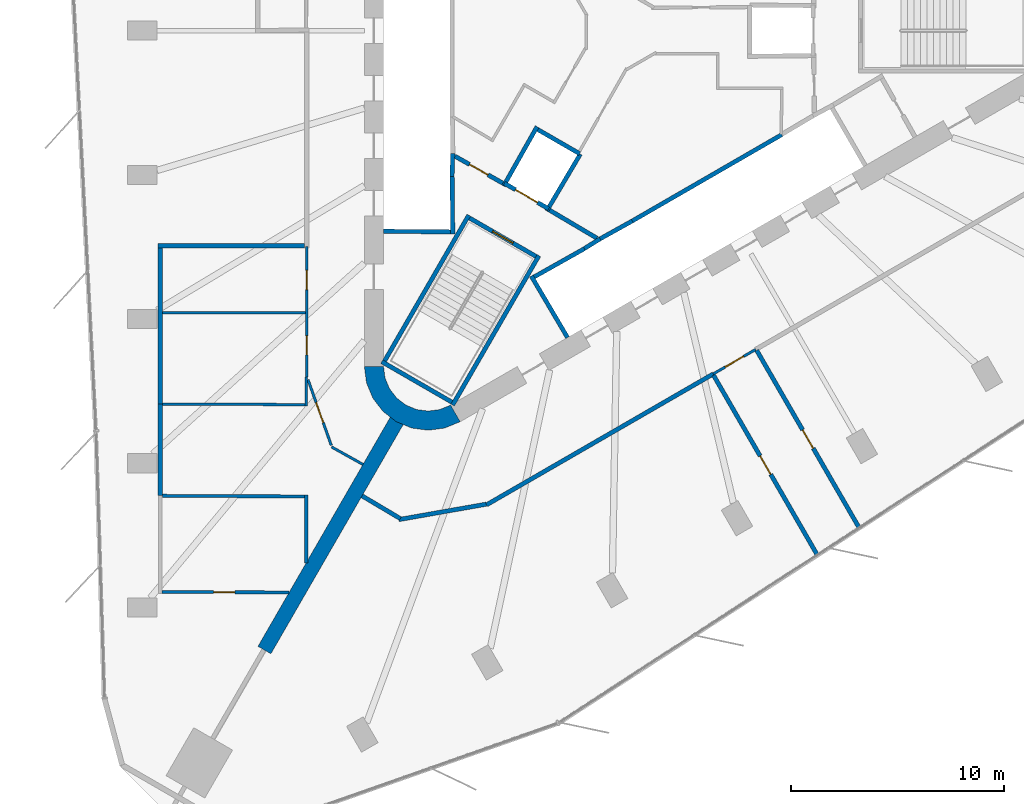
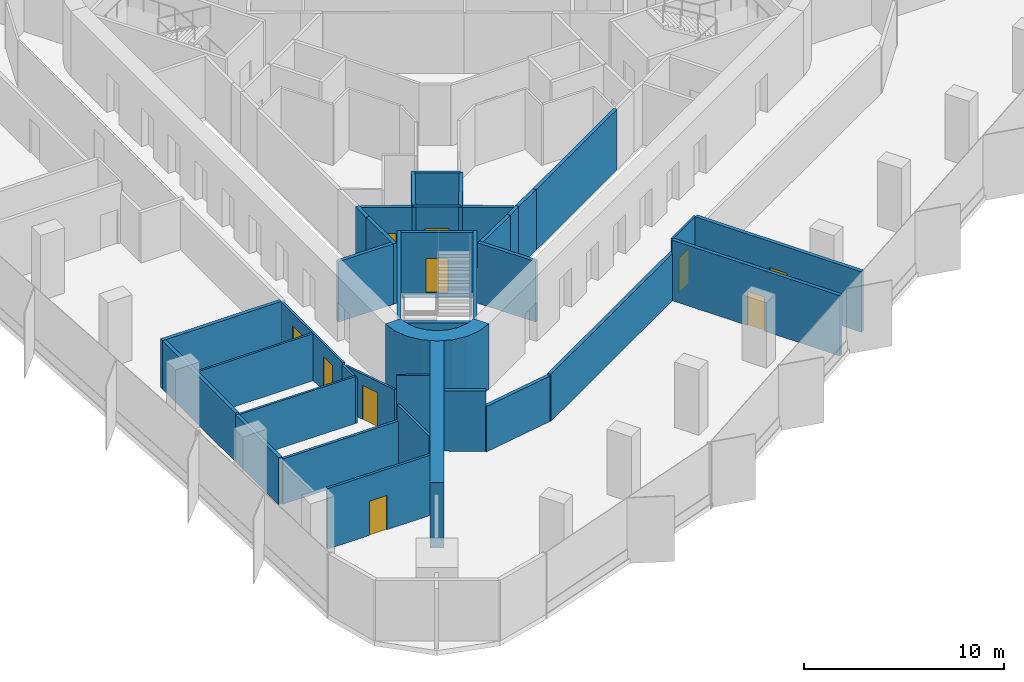
# One storey, part 8 of 13: 38 walls, 10 doors, 10 openings.
"""IFC4 building model written with IfcOpenShell, lengths in metres."""

from ifc_helpers import new_model, si_unit, direction, frame, frame_2d, origin, place, context, subcontext, project, spatial, polyline, rectangle, outline, extrude, material, layer, layer_set, type_object, element, fill, save


model = new_model("IFC4")

# Units and contexts
model_context = context("Model", 3, precision=1e-05, world=origin(), true_north=direction((0.0, 1.0)))
body_context = subcontext(model_context, "Body", "Model", "MODEL_VIEW")
ifc_project = project(units=[si_unit("LENGTHUNIT", "METRE"), si_unit("AREAUNIT", "SQUARE_METRE"), si_unit("VOLUMEUNIT", "CUBIC_METRE"), si_unit("PLANEANGLEUNIT", "RADIAN"), si_unit("MASSUNIT", "GRAM", prefix="KILO")], contexts=[model_context])

# Site, building, storey
site_placement = place(None, origin())
site = spatial("IfcSite", under=ifc_project, at=site_placement, CompositionType="ELEMENT")
building_placement = place(site_placement, origin())
building = spatial("IfcBuilding", under=site, at=building_placement, Name="Tanit Gate Tower", CompositionType="ELEMENT")
storey_placement = place(building_placement, frame((0.0, 0.0, 177.199951171875)))
storey = spatial("IfcBuildingStorey", under=building, at=storey_placement, Name="L38", CompositionType="ELEMENT", Elevation=177.199951171875)

# Walls
ifc_material_1 = material(Name="Concrete C50/60", Category="concrete")
ifc_layer_1 = layer(ifc_material_1, 0.699951171875)
ifc_layer_set_1 = layer_set([ifc_layer_1], Name="BUTTRESS FIN 700 C50/60")
wall_type_1 = type_object("IfcWallType", Name="BUTTRESS FIN 700 C50/60", PredefinedType="SHEAR", material=ifc_layer_set_1)
wall_1_placement = place(storey_placement, frame((-10.574951171875, -18.31640625, 0.0), z_axis=(0.0, 0.0, 1.0), x_axis=(-0.499995558535, -0.86602796805, 0.0)))
element("IfcWall", 1, at=wall_1_placement, inside=storey, type_object=wall_type_1, Name="BUTTRESS FIN", PredefinedType="SHEAR", context=body_context, shape_type="SweptSolid", body=[
    extrude(rectangle(XDim=12.4326171875, YDim=0.699951171875, at=frame_2d((6.21630859375, 0.0))), origin(), (0.0, 0.0, 1.0), 4.0),
])
ifc_material_2 = material(Name="Concrete C50/60", Category="concrete")
ifc_layer_2 = layer(ifc_material_2, 0.89990234375)
ifc_layer_set_2 = layer_set([ifc_layer_2], Name="CORE WALL 900 C50/60")
wall_type_2 = type_object("IfcWallType", Name="CORE WALL 900 C50/60", PredefinedType="SHEAR", material=ifc_layer_set_2)
wall_2_placement = place(storey_placement, origin())
element("IfcWall", 2, at=wall_2_placement, inside=storey, type_object=wall_type_2, Name="CORE WALL CORNER", PredefinedType="SHEAR", context=body_context, shape_type="SweptSolid", body=[
    extrude(outline(polyline([(-12.10009765625, -15.76171875), (-11.997802734375, -16.5380859375), (-11.697998046875, -17.26171875), (-11.22119140625, -17.883056640625), (-10.60009765625, -18.359619140625), (-9.87646484375, -18.659423828125), (-9.10009765625, -18.76171875), (-8.323486328125, -18.659423828125), (-7.60009765625, -18.359619140625), (-8.050048828125, -17.580322265625), (-8.556396484375, -17.7900390625), (-9.10009765625, -17.86181640625), (-9.6435546875, -17.7900390625), (-10.14990234375, -17.580322265625), (-10.5849609375, -17.24658203125), (-10.918701171875, -16.811767578125), (-11.12841796875, -16.30517578125), (-11.199951171875, -15.76171875), (-12.10009765625, -15.76171875)])), origin(), (0.0, 0.0, 1.0), 4.0),
])
ifc_material_3 = material(Name="Fire-rated gypsum board partition")
ifc_layer_3 = layer(ifc_material_3, 0.199951171875)
ifc_layer_set_3 = layer_set([ifc_layer_3], Name="INT-WALL-COMPARTMENT")
wall_type_3 = type_object("IfcWallType", Name="INT-WALL-COMPARTMENT", PredefinedType="PARTITIONING", material=ifc_layer_set_3)
wall_3_placement = place(storey_placement, frame((-3.400634765625, -8.43017578125, 0.0), z_axis=(0.0, 0.0, 1.0), x_axis=(0.860615607571, -0.509255118781, 0.0)))
element("IfcWall", 3, at=wall_3_placement, inside=storey, type_object=wall_type_3, Name="Wall Compartment W063", PredefinedType="PARTITIONING", context=body_context, shape_type="SweptSolid", body=[
    extrude(rectangle(XDim=2.58056640625, YDim=0.199951171875, at=frame_2d((1.290283203125, 0.0))), origin(), (0.0, 0.0, 1.0), 3.699951171875),
])

# Wall, opening, door
wall_4_placement = place(storey_placement, frame((-7.849365234375, -5.893798828125, 0.0), z_axis=(0.0, 0.0, 1.0), x_axis=(0.871363259478, -0.490638431059, 0.0)))
wall_4 = element("IfcWall", 4, at=wall_4_placement, inside=storey, type_object=wall_type_3, Name="Wall Compartment W064", PredefinedType="PARTITIONING", context=body_context, shape_type="SweptSolid", body=[
    extrude(rectangle(XDim=2.5810546875, YDim=0.199951171875, at=frame_2d((1.29052734375, 0.0))), origin(), (0.0, 0.0, 1.0), 3.699951171875),
])
opening_1_placement = place(wall_4_placement, frame((0.79052734375, 0.0, 0.0)))
opening_1 = element("IfcOpeningElement", 5, at=opening_1_placement, cuts=wall_4, Name="Opening F10-S09-08", PredefinedType="OPENING", context=body_context, shape_type="SweptSolid", body=[
    extrude(rectangle(XDim=1.0, YDim=2.10009765625, at=frame_2d((0.5, 1.050048828125))), frame((0.0, 0.10986328125, 0.0), z_axis=(0.0, -1.0, 0.0), x_axis=(1.0, 0.0, 0.0)), (0.0, 0.0, 1.0), 0.219970703125),
])
ifc_material_4 = material(Name="Fire-rated steel door leaf", Category="steel")
door_type_1 = type_object("IfcDoorType", Name="INT-DOOR-FIRE-1000", OperationType="NOTDEFINED", PredefinedType="USERDEFINED", material=ifc_material_4)
door_1_placement = place(opening_1_placement, origin())
door_1 = element("IfcDoor", 6, at=door_1_placement, inside=storey, type_object=door_type_1, Name="Door F10-S09-08", ObjectType="FIRE DOOR", OperationType="SINGLE_SWING_RIGHT", OverallHeight=2.10009765625, OverallWidth=1.0, PredefinedType="USERDEFINED", context=body_context, shape_type="SweptSolid", body=[
    extrude(rectangle(XDim=1.0, YDim=2.10009765625, at=frame_2d((0.5, 1.050048828125))), frame((0.0, 0.02490234375, 0.0), z_axis=(0.0, -1.0, 0.0), x_axis=(1.0, 0.0, 0.0)), (0.0, 0.0, 1.0), 0.050048828125),
])
fill(opening_1, door_1)

# Walls
wall_5_placement = place(storey_placement, frame((-6.3662109375, -22.26611328125, 0.0), z_axis=(0.0, 0.0, 1.0), x_axis=(0.866024234898, 0.500002024564, 0.0)))
element("IfcWall", 7, at=wall_5_placement, inside=storey, type_object=wall_type_3, Name="Wall Compartment W108", PredefinedType="PARTITIONING", context=body_context, shape_type="SweptSolid", body=[
    extrude(rectangle(XDim=12.29638671875, YDim=0.199951171875, at=frame_2d((6.148193359375, 0.0))), origin(), (0.0, 0.0, 1.0), 2.880126953125),
])
wall_6_placement = place(storey_placement, frame((-10.479736328125, -22.956787109375, 0.0), z_axis=(0.0, 0.0, 1.0), x_axis=(0.984812459939, 0.173621481242, 0.0)))
element("IfcWall", 8, at=wall_6_placement, inside=storey, type_object=wall_type_3, Name="Wall Compartment W109", PredefinedType="PARTITIONING", context=body_context, shape_type="SweptSolid", body=[
    extrude(rectangle(XDim=4.1650390625, YDim=0.199951171875, at=frame_2d((2.08251953125, 0.0))), origin(), (0.0, 0.0, 1.0), 2.780029296875),
])
wall_7_placement = place(storey_placement, frame((-12.20703125, -21.84326171875, 0.0), z_axis=(0.0, 0.0, 1.0), x_axis=(0.859912345357, -0.510441728606, 0.0)))
element("IfcWall", 9, at=wall_7_placement, inside=storey, type_object=wall_type_3, Name="Wall Compartment W110", PredefinedType="PARTITIONING", context=body_context, shape_type="SweptSolid", body=[
    extrude(rectangle(XDim=2.093017578125, YDim=0.199951171875, at=frame_2d((1.04638671875, 0.0))), origin(), (0.0, 0.0, 1.0), 3.699951171875),
])
wall_8_placement = place(storey_placement, frame((-14.89990234375, -10.10009765625, 0.0), z_axis=(0.0, 0.0, 1.0), x_axis=(-1.0, 0.0, 0.0)))
element("IfcWall", 10, at=wall_8_placement, inside=storey, type_object=wall_type_3, Name="Wall Compartment W115", PredefinedType="PARTITIONING", context=body_context, shape_type="SweptSolid", body=[
    extrude(rectangle(XDim=6.880126953125, YDim=0.199951171875, at=frame_2d((3.43994140625, 0.0))), origin(), (0.0, 0.0, 1.0), 2.97998046875),
])
wall_9_placement = place(storey_placement, frame((-21.679931640625, -21.8330078125, 0.0), z_axis=(0.0, 0.0, 1.0), x_axis=(0.0, 1.0, 0.0)))
element("IfcWall", 11, at=wall_9_placement, inside=storey, type_object=wall_type_3, Name="Wall Compartment W118", PredefinedType="PARTITIONING", context=body_context, shape_type="SweptSolid", body=[
    extrude(rectangle(XDim=4.302490234375, YDim=0.199951171875, at=frame_2d((2.1513671875, 0.0))), origin(), (0.0, 0.0, 1.0), 2.880126953125),
])
wall_10_placement = place(storey_placement, frame((-21.679931640625, -17.530517578125, 0.0), z_axis=(0.0, 0.0, 1.0), x_axis=(0.0, 1.0, 0.0)))
element("IfcWall", 12, at=wall_10_placement, inside=storey, type_object=wall_type_3, Name="Wall Compartment W117", PredefinedType="PARTITIONING", context=body_context, shape_type="SweptSolid", body=[
    extrude(rectangle(XDim=7.33056640625, YDim=0.199951171875, at=frame_2d((3.665283203125, 0.0))), origin(), (0.0, 0.0, 1.0), 2.97998046875),
])

# Wall, opening, door
wall_11_placement = place(storey_placement, frame((11.134033203125, -23.344482421875, 0.0), z_axis=(0.0, 0.0, 1.0), x_axis=(-0.50000792458, 0.866020828478, 0.0)))
wall_11 = element("IfcWall", 13, at=wall_11_placement, inside=storey, type_object=wall_type_3, Name="Wall Compartment W127", PredefinedType="PARTITIONING", context=body_context, shape_type="SweptSolid", body=[
    extrude(rectangle(XDim=9.623779296875, YDim=0.199951171875, at=frame_2d((4.81201171875, 0.0))), origin(), (0.0, 0.0, 1.0), 3.699951171875),
])
opening_2_placement = place(wall_11_placement, frame((4.31201171875, 0.0, 0.0)))
opening_2 = element("IfcOpeningElement", 14, at=opening_2_placement, cuts=wall_11, Name="Opening F10-S09-28", PredefinedType="OPENING", context=body_context, shape_type="SweptSolid", body=[
    extrude(rectangle(XDim=1.0, YDim=2.10009765625, at=frame_2d((0.5, 1.050048828125))), frame((0.0, 0.10986328125, 0.0), z_axis=(0.0, -1.0, 0.0), x_axis=(1.0, 0.0, 0.0)), (0.0, 0.0, 1.0), 0.219970703125),
])
door_2_placement = place(opening_2_placement, origin())
door_2 = element("IfcDoor", 15, at=door_2_placement, inside=storey, type_object=door_type_1, Name="Door F10-S09-28", ObjectType="FIRE DOOR", OperationType="SINGLE_SWING_LEFT", OverallHeight=2.10009765625, OverallWidth=1.0, PredefinedType="USERDEFINED", context=body_context, shape_type="SweptSolid", body=[
    extrude(rectangle(XDim=1.0, YDim=2.10009765625, at=frame_2d((0.5, 1.050048828125))), frame((0.0, 0.02490234375, 0.0), z_axis=(0.0, -1.0, 0.0), x_axis=(1.0, 0.0, 0.0)), (0.0, 0.0, 1.0), 0.050048828125),
])
fill(opening_2, door_2)

wall_12_placement = place(storey_placement, frame((4.29541015625, -16.179931640625, 0.0), z_axis=(0.0, 0.0, 1.0), x_axis=(0.500010870188, -0.866019127788, 0.0)))
wall_12 = element("IfcWall", 16, at=wall_12_placement, inside=storey, type_object=wall_type_3, Name="Wall Compartment W128", PredefinedType="PARTITIONING", context=body_context, shape_type="SweptSolid", body=[
    extrude(rectangle(XDim=9.745361328125, YDim=0.199951171875, at=frame_2d((4.87255859375, 0.0))), origin(), (0.0, 0.0, 1.0), 3.699951171875),
])
opening_3_placement = place(wall_12_placement, frame((4.372802734375, 0.0, 0.0)))
opening_3 = element("IfcOpeningElement", 17, at=opening_3_placement, cuts=wall_12, Name="Opening F10-S09-29", PredefinedType="OPENING", context=body_context, shape_type="SweptSolid", body=[
    extrude(rectangle(XDim=1.0, YDim=2.10009765625, at=frame_2d((0.5, 1.050048828125))), frame((0.0, 0.10986328125, 0.0), z_axis=(0.0, -1.0, 0.0), x_axis=(1.0, 0.0, 0.0)), (0.0, 0.0, 1.0), 0.219970703125),
])
door_3_placement = place(opening_3_placement, origin())
door_3 = element("IfcDoor", 18, at=door_3_placement, inside=storey, type_object=door_type_1, Name="Door F10-S09-29", ObjectType="FIRE DOOR", OperationType="SINGLE_SWING_LEFT", OverallHeight=2.10009765625, OverallWidth=1.0, PredefinedType="USERDEFINED", context=body_context, shape_type="SweptSolid", body=[
    extrude(rectangle(XDim=1.0, YDim=2.10009765625, at=frame_2d((0.5, 1.050048828125))), frame((0.0, 0.02490234375, 0.0), z_axis=(0.0, -1.0, 0.0), x_axis=(1.0, 0.0, 0.0)), (0.0, 0.0, 1.0), 0.050048828125),
])
fill(opening_3, door_3)

# Wall, openings, doors
ifc_material_5 = material(Name="Gypsum board partition")
ifc_layer_4 = layer(ifc_material_5, 0.1201171875)
ifc_layer_set_4 = layer_set([ifc_layer_4], Name="INT-WALL-PARTITION")
wall_type_4 = type_object("IfcWallType", Name="INT-WALL-PARTITION", PredefinedType="PARTITIONING", material=ifc_layer_set_4)
wall_13_placement = place(storey_placement, frame((-14.800048828125, -10.1298828125, 0.0), z_axis=(0.0, 0.0, 1.0), x_axis=(0.0, -1.0, 0.0)))
wall_13 = element("IfcWall", 19, at=wall_13_placement, inside=storey, type_object=wall_type_4, Name="Wall Partition W093", PredefinedType="PARTITIONING", context=body_context, shape_type="SweptSolid", body=[
    extrude(rectangle(XDim=6.138427734375, YDim=0.1201171875, at=frame_2d((3.0693359375, 0.0))), origin(), (0.0, 0.0, 1.0), 2.880126953125),
])
opening_4_placement = place(wall_13_placement, frame((1.127197265625, 0.0, 0.0)))
opening_4 = element("IfcOpeningElement", 20, at=opening_4_placement, cuts=wall_13, Name="Opening D09-S09-20", PredefinedType="OPENING", context=body_context, shape_type="SweptSolid", body=[
    extrude(rectangle(XDim=0.89990234375, YDim=2.10009765625, at=frame_2d((0.449951171875, 1.050048828125))), frame((0.0, 0.070068359375, 0.0), z_axis=(0.0, -1.0, 0.0), x_axis=(1.0, 0.0, 0.0)), (0.0, 0.0, 1.0), 0.14013671875),
])
opening_5_placement = place(wall_13_placement, frame((4.1962890625, 0.0, 0.0)))
opening_5 = element("IfcOpeningElement", 21, at=opening_5_placement, cuts=wall_13, Name="Opening D09-S09-21", PredefinedType="OPENING", context=body_context, shape_type="SweptSolid", body=[
    extrude(rectangle(XDim=0.89990234375, YDim=2.10009765625, at=frame_2d((0.449951171875, 1.050048828125))), frame((0.0, 0.070068359375, 0.0), z_axis=(0.0, -1.0, 0.0), x_axis=(1.0, 0.0, 0.0)), (0.0, 0.0, 1.0), 0.14013671875),
])
ifc_material_6 = material(Name="Timber door leaf", Category="wood")
door_type_2 = type_object("IfcDoorType", Name="INT-DOOR-SINGLE-900", OperationType="NOTDEFINED", PredefinedType="NOTDEFINED", material=ifc_material_6)
door_4_placement = place(opening_4_placement, origin())
door_4 = element("IfcDoor", 22, at=door_4_placement, inside=storey, type_object=door_type_2, Name="Door D09-S09-20", OperationType="SINGLE_SWING_RIGHT", OverallHeight=2.10009765625, OverallWidth=0.89990234375, PredefinedType="NOTDEFINED", context=body_context, shape_type="SweptSolid", body=[
    extrude(rectangle(XDim=0.89990234375, YDim=2.10009765625, at=frame_2d((0.449951171875, 1.050048828125))), frame((0.0, 0.02490234375, 0.0), z_axis=(0.0, -1.0, 0.0), x_axis=(1.0, 0.0, 0.0)), (0.0, 0.0, 1.0), 0.050048828125),
])
fill(opening_4, door_4)
door_5_placement = place(opening_5_placement, origin())
door_5 = element("IfcDoor", 23, at=door_5_placement, inside=storey, type_object=door_type_2, Name="Door D09-S09-21", OperationType="SINGLE_SWING_RIGHT", OverallHeight=2.10009765625, OverallWidth=0.89990234375, PredefinedType="NOTDEFINED", context=body_context, shape_type="SweptSolid", body=[
    extrude(rectangle(XDim=0.89990234375, YDim=2.10009765625, at=frame_2d((0.449951171875, 1.050048828125))), frame((0.0, 0.02490234375, 0.0), z_axis=(0.0, -1.0, 0.0), x_axis=(1.0, 0.0, 0.0)), (0.0, 0.0, 1.0), 0.050048828125),
])
fill(opening_5, door_5)

# Wall
wall_14_placement = place(storey_placement, frame((-13.64111328125, -19.54443359375, 0.0), z_axis=(0.0, 0.0, 1.0), x_axis=(0.873339078614, -0.487112773149, 0.0)))
element("IfcWall", 24, at=wall_14_placement, inside=storey, type_object=wall_type_4, Name="Wall Partition W095", PredefinedType="PARTITIONING", context=body_context, shape_type="SweptSolid", body=[
    extrude(rectangle(XDim=1.691650390625, YDim=0.1201171875, at=frame_2d((0.845703125, 0.0))), origin(), (0.0, 0.0, 1.0), 3.699951171875),
])

# Wall, opening, door
wall_15_placement = place(storey_placement, frame((-14.74267578125, -16.393798828125, 0.0), z_axis=(0.0, 0.0, 1.0), x_axis=(0.334279115597, -0.942474123186, 0.0)))
wall_15 = element("IfcWall", 25, at=wall_15_placement, inside=storey, type_object=wall_type_4, Name="Wall Partition W096", PredefinedType="PARTITIONING", context=body_context, shape_type="SweptSolid", body=[
    extrude(rectangle(XDim=3.263916015625, YDim=0.1201171875, at=frame_2d((1.6318359375, 0.0))), origin(), (0.0, 0.0, 1.0), 2.780029296875),
])
opening_6_placement = place(wall_15_placement, frame((1.1318359375, 0.0, 0.0)))
opening_6 = element("IfcOpeningElement", 26, at=opening_6_placement, cuts=wall_15, Name="Opening D10-S09-22", PredefinedType="OPENING", context=body_context, shape_type="SweptSolid", body=[
    extrude(rectangle(XDim=1.0, YDim=2.10009765625, at=frame_2d((0.5, 1.050048828125))), frame((0.0, 0.070068359375, 0.0), z_axis=(0.0, -1.0, 0.0), x_axis=(1.0, 0.0, 0.0)), (0.0, 0.0, 1.0), 0.14013671875),
])
ifc_material_7 = material(Name="Timber door leaf", Category="wood")
door_type_3 = type_object("IfcDoorType", Name="INT-DOOR-SINGLE-1000", OperationType="NOTDEFINED", PredefinedType="NOTDEFINED", material=ifc_material_7)
door_6_placement = place(opening_6_placement, origin())
door_6 = element("IfcDoor", 27, at=door_6_placement, inside=storey, type_object=door_type_3, Name="Door D10-S09-22", OperationType="SINGLE_SWING_LEFT", OverallHeight=2.10009765625, OverallWidth=1.0, PredefinedType="NOTDEFINED", context=body_context, shape_type="SweptSolid", body=[
    extrude(rectangle(XDim=1.0, YDim=2.10009765625, at=frame_2d((0.5, 1.050048828125))), frame((0.0, 0.02490234375, 0.0), z_axis=(0.0, -1.0, 0.0), x_axis=(1.0, 0.0, 0.0)), (0.0, 0.0, 1.0), 0.050048828125),
])
fill(opening_6, door_6)

wall_16_placement = place(storey_placement, frame((4.28271484375, -16.117919921875, 0.0), z_axis=(0.0, 0.0, 1.0), x_axis=(0.866053019151, 0.499952165731, 0.0)))
wall_16 = element("IfcWall", 28, at=wall_16_placement, inside=storey, type_object=wall_type_4, Name="Wall Partition W104", PredefinedType="PARTITIONING", context=body_context, shape_type="SweptSolid", body=[
    extrude(rectangle(XDim=2.300048828125, YDim=0.1201171875, at=frame_2d((1.14990234375, 0.0))), origin(), (0.0, 0.0, 1.0), 3.699951171875),
])
opening_7_placement = place(wall_16_placement, frame((0.64990234375, 0.0, 0.0)))
opening_7 = element("IfcOpeningElement", 29, at=opening_7_placement, cuts=wall_16, Name="Opening D10-S09-19", PredefinedType="OPENING", context=body_context, shape_type="SweptSolid", body=[
    extrude(rectangle(XDim=1.0, YDim=2.10009765625, at=frame_2d((0.5, 1.050048828125))), frame((0.0, 0.070068359375, 0.0), z_axis=(0.0, -1.0, 0.0), x_axis=(1.0, 0.0, 0.0)), (0.0, 0.0, 1.0), 0.14013671875),
])
door_7_placement = place(opening_7_placement, origin())
door_7 = element("IfcDoor", 30, at=door_7_placement, inside=storey, type_object=door_type_3, Name="Door D10-S09-19", OperationType="SINGLE_SWING_LEFT", OverallHeight=2.10009765625, OverallWidth=1.0, PredefinedType="NOTDEFINED", context=body_context, shape_type="SweptSolid", body=[
    extrude(rectangle(XDim=1.0, YDim=2.10009765625, at=frame_2d((0.5, 1.050048828125))), frame((0.0, 0.02490234375, 0.0), z_axis=(0.0, -1.0, 0.0), x_axis=(1.0, 0.0, 0.0)), (0.0, 0.0, 1.0), 0.050048828125),
])
fill(opening_7, door_7)

# Walls
wall_17_placement = place(storey_placement, frame((-14.830078125, -13.25439453125, 0.0), z_axis=(0.0, 0.0, 1.0), x_axis=(-1.0, 0.0, 0.0)))
element("IfcWall", 31, at=wall_17_placement, inside=storey, type_object=wall_type_4, Name="Wall Partition W129", PredefinedType="PARTITIONING", context=body_context, shape_type="SweptSolid", body=[
    extrude(rectangle(XDim=6.75, YDim=0.1201171875, at=frame_2d((3.375, 0.0))), origin(), (0.0, 0.0, 1.0), 2.880126953125),
])
wall_18_placement = place(storey_placement, frame((-14.830078125, -17.62060546875, 0.0), z_axis=(0.0, 0.0, 1.0), x_axis=(0.0, 1.0, 0.0)))
element("IfcWall", 32, at=wall_18_placement, inside=storey, type_object=wall_type_4, Name="Wall Partition W130", PredefinedType="PARTITIONING", context=body_context, shape_type="SweptSolid", body=[
    extrude(rectangle(XDim=1.352294921875, YDim=0.1201171875, at=frame_2d((0.67626953125, 0.0))), origin(), (0.0, 0.0, 1.0), 2.780029296875),
])
wall_19_placement = place(storey_placement, frame((-14.889892578125, -17.560302734375, 0.0), z_axis=(0.0, 0.0, 1.0), x_axis=(-0.999990411956, 0.004379040595, 0.0)))
element("IfcWall", 33, at=wall_19_placement, inside=storey, type_object=wall_type_4, Name="Wall Partition W131", PredefinedType="PARTITIONING", context=body_context, shape_type="SweptSolid", body=[
    extrude(rectangle(XDim=6.690185546875, YDim=0.1201171875, at=frame_2d((3.34521484375, 0.0))), origin(), (0.0, 0.0, 1.0), 2.880126953125),
])

# Wall, opening, door
ifc_material_8 = material(Name="Fire-rated gypsum board partition")
ifc_layer_5 = layer(ifc_material_8, 0.14990234375)
ifc_layer_set_5 = layer_set([ifc_layer_5], Name="INT-WALL-RISER")
wall_type_5 = type_object("IfcWallType", Name="INT-WALL-RISER", PredefinedType="PLUMBINGWALL", material=ifc_layer_set_5)
wall_20_placement = place(storey_placement, frame((-21.60498046875, -26.350341796875, 0.0), z_axis=(0.0, 0.0, 1.0), x_axis=(0.999989138364, -0.004660810408, 0.0)))
wall_20 = element("IfcWall", 34, at=wall_20_placement, inside=storey, type_object=wall_type_5, Name="Wall Riser W120", PredefinedType="PLUMBINGWALL", context=body_context, shape_type="SweptSolid", body=[
    extrude(rectangle(XDim=5.971435546875, YDim=0.14990234375, at=frame_2d((2.98583984375, 0.0))), origin(), (0.0, 0.0, 1.0), 3.699951171875),
])
opening_8_placement = place(wall_20_placement, frame((2.42822265625, 0.0, 0.0)))
opening_8 = element("IfcOpeningElement", 35, at=opening_8_placement, cuts=wall_20, Name="Opening F10-S09-23", PredefinedType="OPENING", context=body_context, shape_type="SweptSolid", body=[
    extrude(rectangle(XDim=1.0, YDim=2.10009765625, at=frame_2d((0.5, 1.050048828125))), frame((0.0, 0.0849609375, 0.0), z_axis=(0.0, -1.0, 0.0), x_axis=(1.0, 0.0, 0.0)), (0.0, 0.0, 1.0), 0.169921875),
])
door_8_placement = place(opening_8_placement, origin())
door_8 = element("IfcDoor", 36, at=door_8_placement, inside=storey, type_object=door_type_1, Name="Door F10-S09-23", ObjectType="FIRE DOOR", OperationType="SINGLE_SWING_RIGHT", OverallHeight=2.10009765625, OverallWidth=1.0, PredefinedType="USERDEFINED", context=body_context, shape_type="SweptSolid", body=[
    extrude(rectangle(XDim=1.0, YDim=2.10009765625, at=frame_2d((0.5, 1.050048828125))), frame((0.0, 0.02490234375, 0.0), z_axis=(0.0, -1.0, 0.0), x_axis=(1.0, 0.0, 0.0)), (0.0, 0.0, 1.0), 0.050048828125),
])
fill(opening_8, door_8)

# Walls
wall_21_placement = place(storey_placement, frame((-14.830078125, -24.986328125, 0.0), z_axis=(0.0, 0.0, 1.0), x_axis=(0.0, 1.0, 0.0)))
element("IfcWall", 37, at=wall_21_placement, inside=storey, type_object=wall_type_5, Name="Wall Riser W132", PredefinedType="PLUMBINGWALL", context=body_context, shape_type="SweptSolid", body=[
    extrude(rectangle(XDim=3.190673828125, YDim=0.14990234375, at=frame_2d((1.59521484375, 0.0))), origin(), (0.0, 0.0, 1.0), 3.699951171875),
])
wall_22_placement = place(storey_placement, frame((-21.580078125, -21.841064453125, 0.0), z_axis=(0.0, 0.0, 1.0), x_axis=(0.999990368422, -0.004388970565, 0.0)))
element("IfcWall", 38, at=wall_22_placement, inside=storey, type_object=wall_type_5, Name="Wall Riser W133", PredefinedType="PLUMBINGWALL", context=body_context, shape_type="SweptSolid", body=[
    extrude(rectangle(XDim=6.675048828125, YDim=0.14990234375, at=frame_2d((3.33740234375, 0.0))), origin(), (0.0, 0.0, 1.0), 2.780029296875),
])
ifc_material_9 = material(Name="Gypsum shaft wall system")
ifc_layer_6 = layer(ifc_material_9, 0.199951171875)
ifc_layer_set_6 = layer_set([ifc_layer_6], Name="INT-WALL-SHAFT")
wall_type_6 = type_object("IfcWallType", Name="INT-WALL-SHAFT", PredefinedType="PLUMBINGWALL", material=ifc_layer_set_6)
wall_23_placement = place(storey_placement, frame((-7.949951171875, -5.7724609375, 0.0), z_axis=(0.0, 0.0, 1.0), x_axis=(-0.030803413295, -0.999525462272, 0.0)))
element("IfcWall", 39, at=wall_23_placement, inside=storey, type_object=wall_type_6, Name="Wall Shaft W008", PredefinedType="PLUMBINGWALL", context=body_context, shape_type="SweptSolid", body=[
    extrude(rectangle(XDim=1.077880859375, YDim=0.199951171875, at=frame_2d((0.5390625, 0.0))), origin(), (0.0, 0.0, 1.0), 3.699951171875),
])
wall_24_placement = place(storey_placement, frame((-7.97900390625, -6.85009765625, 0.0), z_axis=(0.0, 0.0, 1.0), x_axis=(0.011121475088, -0.999938154483, 0.0)))
element("IfcWall", 40, at=wall_24_placement, inside=storey, type_object=wall_type_6, Name="Wall Shaft W010", PredefinedType="PLUMBINGWALL", context=body_context, shape_type="SweptSolid", body=[
    extrude(rectangle(XDim=2.7001953125, YDim=0.199951171875, at=frame_2d((1.35009765625, 0.0))), origin(), (0.0, 0.0, 1.0), 3.699951171875),
])
wall_25_placement = place(storey_placement, frame((-8.050048828125, -9.448974609375, 0.0), z_axis=(0.0, 0.0, 1.0), x_axis=(-0.999957467379, 0.009222983926, 0.0)))
element("IfcWall", 41, at=wall_25_placement, inside=storey, type_object=wall_type_6, Name="Wall Shaft W011", PredefinedType="PLUMBINGWALL", context=body_context, shape_type="SweptSolid", body=[
    extrude(rectangle(XDim=3.150146484375, YDim=0.199951171875, at=frame_2d((1.5751953125, 0.0))), origin(), (0.0, 0.0, 1.0), 3.699951171875),
])
wall_26_placement = place(storey_placement, frame((0.482666015625, -8.935791015625, 0.0), z_axis=(0.0, 0.0, 1.0), x_axis=(0.866030989016, 0.499990325971, 0.0)))
element("IfcWall", 42, at=wall_26_placement, inside=storey, type_object=wall_type_6, Name="Wall Shaft W023", PredefinedType="PLUMBINGWALL", context=body_context, shape_type="SweptSolid", body=[
    extrude(rectangle(XDim=8.099853515625, YDim=0.199951171875, at=frame_2d((4.0498046875, 0.0))), origin(), (0.0, 0.0, 1.0), 3.699951171875),
])
wall_27_placement = place(storey_placement, frame((-2.557861328125, -14.409423828125, 0.0), z_axis=(0.0, 0.0, 1.0), x_axis=(-0.507997497166, 0.861358544901, 0.0)))
element("IfcWall", 43, at=wall_27_placement, inside=storey, type_object=wall_type_6, Name="Wall Shaft W019", PredefinedType="PLUMBINGWALL", context=body_context, shape_type="SweptSolid", body=[
    extrude(rectangle(XDim=3.350341796875, YDim=0.199951171875, at=frame_2d((1.67529296875, 0.0))), origin(), (0.0, 0.0, 1.0), 3.699951171875),
])
wall_28_placement = place(storey_placement, frame((-1.7685546875, -10.23681640625, 0.0), z_axis=(0.0, 0.0, 1.0), x_axis=(-0.871534483978, -0.490334215854, 0.0)))
element("IfcWall", 44, at=wall_28_placement, inside=storey, type_object=wall_type_6, Name="Wall Shaft W020", PredefinedType="PLUMBINGWALL", context=body_context, shape_type="SweptSolid", body=[
    extrude(rectangle(XDim=2.7001953125, YDim=0.199951171875, at=frame_2d((1.35009765625, 0.0))), origin(), (0.0, 0.0, 1.0), 3.699951171875),
])
wall_29_placement = place(storey_placement, frame((-1.02392578125, -9.77099609375, 0.0), z_axis=(0.0, 0.0, 1.0), x_axis=(-0.850348075135, -0.526220629693, 0.0)))
element("IfcWall", 45, at=wall_29_placement, inside=storey, type_object=wall_type_6, Name="Wall Shaft W021", PredefinedType="PLUMBINGWALL", context=body_context, shape_type="SweptSolid", body=[
    extrude(rectangle(XDim=0.878173828125, YDim=0.199951171875, at=frame_2d((0.43896484375, 0.0))), origin(), (0.0, 0.0, 1.0), 3.699951171875),
])
wall_30_placement = place(storey_placement, frame((-1.130126953125, -9.831298828125, 0.0), z_axis=(0.0, 0.0, 1.0), x_axis=(0.874269620932, 0.485440655401, 0.0)))
element("IfcWall", 46, at=wall_30_placement, inside=storey, type_object=wall_type_6, Name="Wall Shaft W022", PredefinedType="PLUMBINGWALL", context=body_context, shape_type="SweptSolid", body=[
    extrude(rectangle(XDim=1.8447265625, YDim=0.199951171875, at=frame_2d((0.92236328125, 0.0))), origin(), (0.0, 0.0, 1.0), 3.699951171875),
])

# Wall, opening, door
wall_31_placement = place(storey_placement, frame((-3.44580078125, -8.3681640625, 0.0), z_axis=(0.0, 0.0, 1.0), x_axis=(-0.866024647952, 0.500001309137, 0.0)))
wall_31 = element("IfcWall", 47, at=wall_31_placement, inside=storey, type_object=wall_type_6, Name="Wall Shaft W045", PredefinedType="PLUMBINGWALL", context=body_context, shape_type="SweptSolid", body=[
    extrude(rectangle(XDim=2.39990234375, YDim=0.199951171875, at=frame_2d((1.199951171875, 0.0))), origin(), (0.0, 0.0, 1.0), 3.699951171875),
])
opening_9_placement = place(wall_31_placement, frame((0.60009765625, 0.0, 0.0)))
opening_9 = element("IfcOpeningElement", 48, at=opening_9_placement, cuts=wall_31, Name="Opening LDFL3-L38", PredefinedType="OPENING", context=body_context, shape_type="SweptSolid", body=[
    extrude(rectangle(XDim=1.199951171875, YDim=2.39990234375, at=frame_2d((0.60009765625, 1.199951171875))), frame((0.0, 0.10986328125, 0.0), z_axis=(0.0, -1.0, 0.0), x_axis=(1.0, 0.0, 0.0)), (0.0, 0.0, 1.0), 0.219970703125),
])
ifc_material_10 = material(Name="Stainless steel sliding door leaf", Category="steel")
door_type_4 = type_object("IfcDoorType", Name="INT-DOOR-LANDING-1200", OperationType="NOTDEFINED", PredefinedType="USERDEFINED", material=ifc_material_10)
door_9_placement = place(opening_9_placement, origin())
door_9 = element("IfcDoor", 49, at=door_9_placement, inside=storey, type_object=door_type_4, Name="Door LDFL3-L38", ObjectType="LANDING DOOR", OperationType="SLIDING_TO_LEFT", OverallHeight=2.39990234375, OverallWidth=1.199951171875, PredefinedType="USERDEFINED", context=body_context, shape_type="SweptSolid", body=[
    extrude(rectangle(XDim=1.199951171875, YDim=2.39990234375, at=frame_2d((0.60009765625, 1.199951171875))), frame((0.0, 0.02490234375, 0.0), z_axis=(0.0, -1.0, 0.0), x_axis=(1.0, 0.0, 0.0)), (0.0, 0.0, 1.0), 0.050048828125),
])
fill(opening_9, door_9)

# Walls
wall_32_placement = place(storey_placement, frame((-1.960693359375, -5.796142578125, 0.0), z_axis=(0.0, 0.0, 1.0), x_axis=(-0.508647062354, -0.860975125052, 0.0)))
element("IfcWall", 50, at=wall_32_placement, inside=storey, type_object=wall_type_6, Name="Wall Shaft W046", PredefinedType="PLUMBINGWALL", context=body_context, shape_type="SweptSolid", body=[
    extrude(rectangle(XDim=3.10009765625, YDim=0.199951171875, at=frame_2d((1.550048828125, 0.0))), origin(), (0.0, 0.0, 1.0), 3.699951171875),
])
wall_33_placement = place(storey_placement, frame((-3.989990234375, -4.509033203125, 0.0), z_axis=(0.0, 0.0, 1.0), x_axis=(-0.491358283181, -0.870957540612, 0.0)))
element("IfcWall", 51, at=wall_33_placement, inside=storey, type_object=wall_type_6, Name="Wall Shaft W047", PredefinedType="PLUMBINGWALL", context=body_context, shape_type="SweptSolid", body=[
    extrude(rectangle(XDim=3.200439453125, YDim=0.199951171875, at=frame_2d((1.60009765625, 0.0))), origin(), (0.0, 0.0, 1.0), 3.699951171875),
])
wall_34_placement = place(storey_placement, frame((-3.95263671875, -4.646240234375, 0.0), z_axis=(0.0, 0.0, 1.0), x_axis=(0.866065302921, -0.4999308863, 0.0)))
element("IfcWall", 52, at=wall_34_placement, inside=storey, type_object=wall_type_6, Name="Wall Shaft W048", PredefinedType="PLUMBINGWALL", context=body_context, shape_type="SweptSolid", body=[
    extrude(rectangle(XDim=2.264404296875, YDim=0.199951171875, at=frame_2d((1.13232421875, 0.0))), origin(), (0.0, 0.0, 1.0), 3.699951171875),
])
ifc_material_11 = material(Name="Concrete C40/50", Category="concrete")
ifc_layer_7 = layer(ifc_material_11, 0.199951171875)
ifc_layer_set_7 = layer_set([ifc_layer_7], Name="INT-WALL-STAIR")
wall_type_7 = type_object("IfcWallType", Name="INT-WALL-STAIR", PredefinedType="SHEAR", material=ifc_layer_set_7)
wall_35_placement = place(storey_placement, frame((-3.904541015625, -10.56298828125, -0.300048828125), z_axis=(0.0, 0.0, 1.0), x_axis=(-0.500012932018, -0.866017937352, 0.0)))
element("IfcWall", 53, at=wall_35_placement, inside=storey, type_object=wall_type_7, Name="Wall Stair W041", PredefinedType="SHEAR", context=body_context, shape_type="SweptSolid", body=[
    extrude(rectangle(XDim=8.099853515625, YDim=0.199951171875, at=frame_2d((4.0498046875, 0.0))), origin(), (0.0, 0.0, 1.0), 4.0),
])
wall_36_placement = place(storey_placement, frame((-11.281982421875, -15.541015625, -0.300048828125), z_axis=(0.0, 0.0, 1.0), x_axis=(0.866000483506, -0.500043160704, 0.0)))
element("IfcWall", 54, at=wall_36_placement, inside=storey, type_object=wall_type_7, Name="Wall Stair W042", PredefinedType="SHEAR", context=body_context, shape_type="SweptSolid", body=[
    extrude(rectangle(XDim=3.800048828125, YDim=0.199951171875, at=frame_2d((1.89990234375, 0.0))), origin(), (0.0, 0.0, 1.0), 4.0),
])
wall_37_placement = place(storey_placement, frame((-7.195556640625, -8.662841796875, -0.300048828125), z_axis=(0.0, 0.0, 1.0), x_axis=(-0.499997992926, -0.866026562566, 0.0)))
element("IfcWall", 55, at=wall_37_placement, inside=storey, type_object=wall_type_7, Name="Wall Stair W043", PredefinedType="SHEAR", context=body_context, shape_type="SweptSolid", body=[
    extrude(rectangle(XDim=7.89990234375, YDim=0.199951171875, at=frame_2d((3.949951171875, 0.0))), origin(), (0.0, 0.0, 1.0), 4.0),
])

# Wall, opening, door
wall_38_placement = place(storey_placement, frame((-4.041259765625, -10.599365234375, -0.300048828125), z_axis=(0.0, 0.0, 1.0), x_axis=(-0.866047807691, 0.499961193289, 0.0)))
wall_38 = element("IfcWall", 56, at=wall_38_placement, inside=storey, type_object=wall_type_7, Name="Wall Stair W044", PredefinedType="SHEAR", context=body_context, shape_type="SweptSolid", body=[
    extrude(rectangle(XDim=3.599853515625, YDim=0.199951171875, at=frame_2d((1.7998046875, 0.0))), origin(), (0.0, 0.0, 1.0), 4.0),
])
opening_10_placement = place(wall_38_placement, frame((1.25, 0.0, 0.300048828125)))
opening_10 = element("IfcOpeningElement", 57, at=opening_10_placement, cuts=wall_38, Name="Opening S11-S09-07", PredefinedType="OPENING", context=body_context, shape_type="SweptSolid", body=[
    extrude(rectangle(XDim=1.10009765625, YDim=2.10009765625, at=frame_2d((0.550048828125, 1.050048828125))), frame((0.0, 0.10986328125, 0.0), z_axis=(0.0, -1.0, 0.0), x_axis=(1.0, 0.0, 0.0)), (0.0, 0.0, 1.0), 0.219970703125),
])
ifc_material_12 = material(Name="Timber door leaf", Category="wood")
door_type_5 = type_object("IfcDoorType", Name="INT-DOOR-STAIR-1100", OperationType="NOTDEFINED", PredefinedType="USERDEFINED", material=ifc_material_12)
door_10_placement = place(opening_10_placement, origin())
door_10 = element("IfcDoor", 58, at=door_10_placement, inside=storey, type_object=door_type_5, Name="Door S11-S09-07", ObjectType="FIRE DOOR", OperationType="SINGLE_SWING_RIGHT", OverallHeight=2.10009765625, OverallWidth=1.10009765625, PredefinedType="USERDEFINED", context=body_context, shape_type="SweptSolid", body=[
    extrude(rectangle(XDim=1.10009765625, YDim=2.10009765625, at=frame_2d((0.550048828125, 1.050048828125))), frame((0.0, 0.02490234375, 0.0), z_axis=(0.0, -1.0, 0.0), x_axis=(1.0, 0.0, 0.0)), (0.0, 0.0, 1.0), 0.050048828125),
])
fill(opening_10, door_10)

save(model, "model.ifc")
